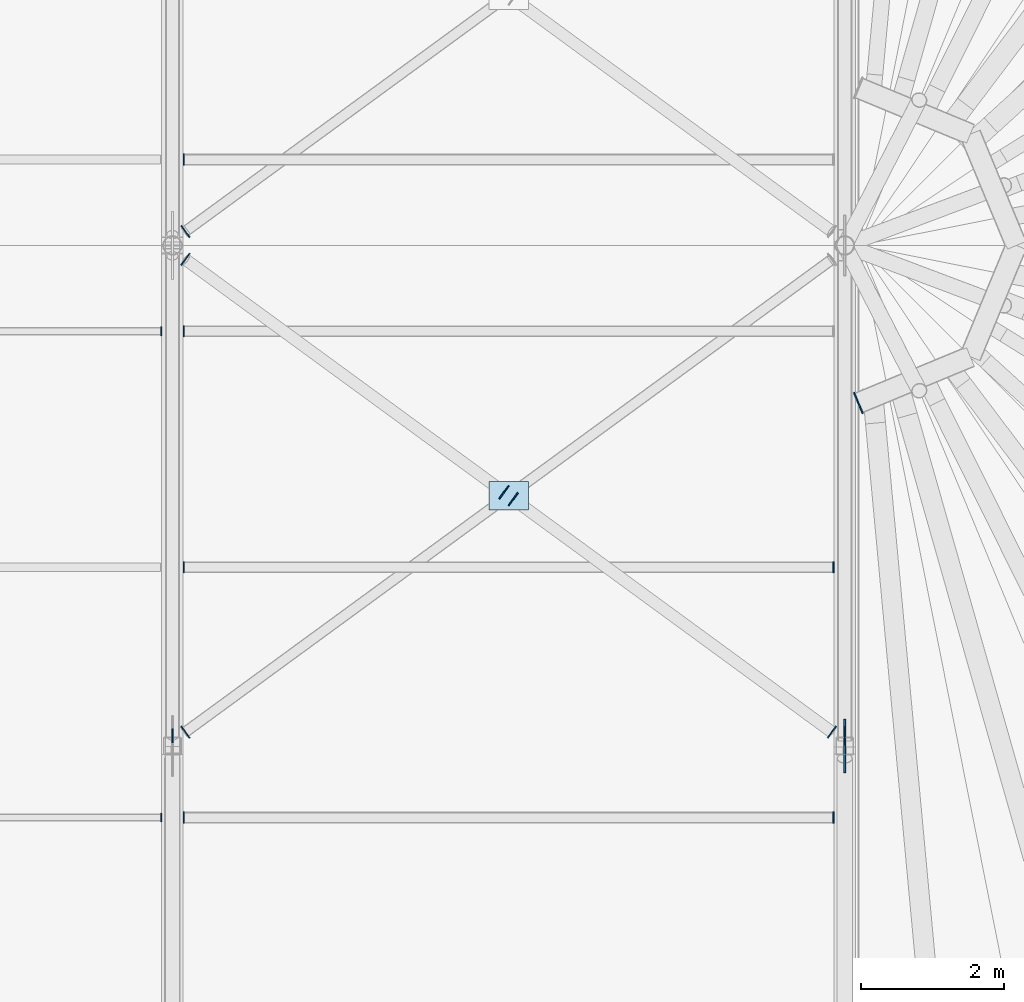
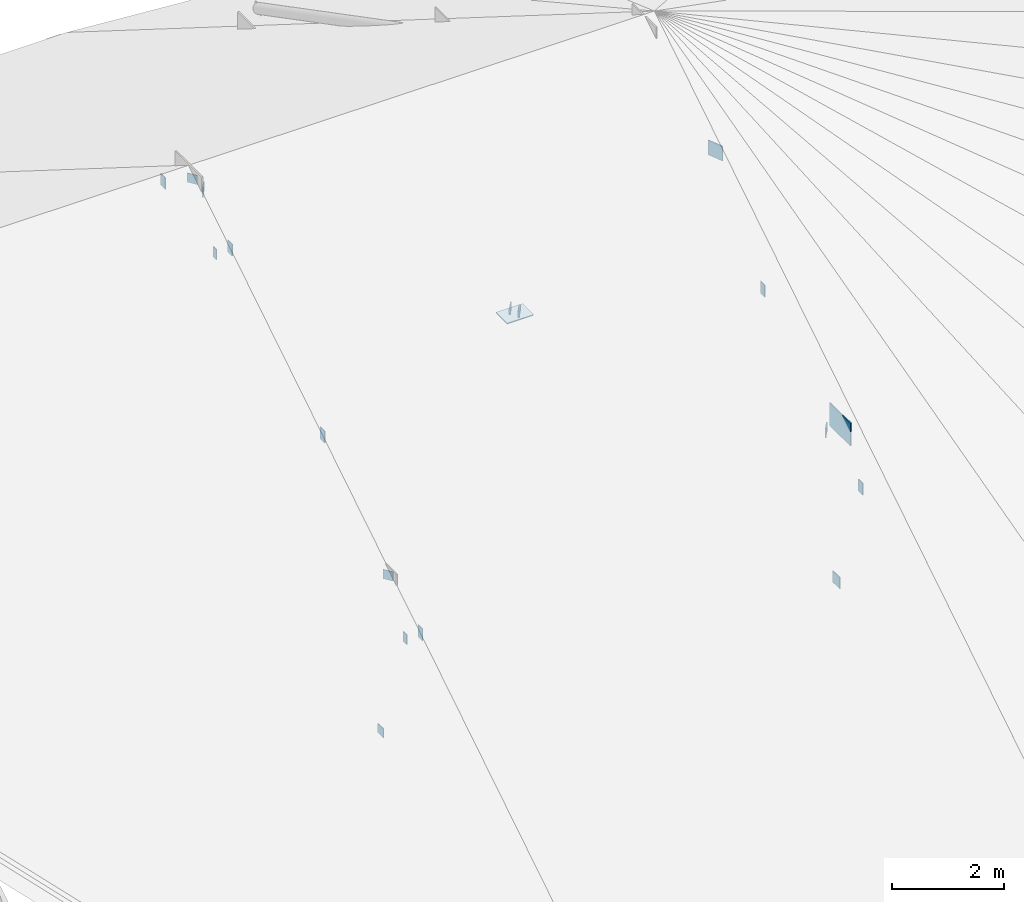
# One storey, part 60 of 66: 19 plates.
"""IFC4 building model written with IfcOpenShell, lengths in metres."""

from ifc_helpers import new_model, si_unit, direction, frame, origin, origin_2d, place, context, subcontext, project, spatial, rectangle, extrude, material, layer, layer_set, type_object, element, save


model = new_model("IFC4")

# Units and contexts
model_context = context("Model", 3, precision=1e-05, world=origin(), true_north=direction((0.0, 1.0)))
body_context = subcontext(model_context, "Body", "Model", "MODEL_VIEW")
ifc_project = project(units=[si_unit("LENGTHUNIT", "METRE"), si_unit("AREAUNIT", "SQUARE_METRE"), si_unit("VOLUMEUNIT", "CUBIC_METRE"), si_unit("PLANEANGLEUNIT", "RADIAN"), si_unit("MASSUNIT", "GRAM", prefix="KILO")], contexts=[model_context])

# Site, building, storey
site_placement = place(None, origin())
site = spatial("IfcSite", under=ifc_project, at=site_placement, CompositionType="ELEMENT")
building_placement = place(site_placement, origin())
building = spatial("IfcBuilding", under=site, at=building_placement, Name="Yeouljin Market Hall", CompositionType="ELEMENT")
storey_placement = place(building_placement, frame((0.0, 0.0, 23.39990234375)))
storey = spatial("IfcBuildingStorey", under=building, at=storey_placement, Name="RF", CompositionType="ELEMENT", Elevation=23.39990234375)

# Plates
ifc_material_1 = material(Name="Steel SM355", Category="steel")
ifc_layer_1 = layer(ifc_material_1, 0.01611328125)
ifc_layer_set_1 = layer_set([ifc_layer_1], Name="Steel SM355")
plate_type_1 = type_object("IfcPlateType", Name="CapPlate_200x200x16", PredefinedType="SHEET", material=ifc_layer_set_1)
for number, where, z_axis, x_axis, name in (
    (1, (131.39990234375, 50.144287109375, -7.078125), (0.0, 0.0, 1.0), (0.0, 1.0, 0.0), "Hollow web end-cap plate 0042"),
    (2, (131.580078125, 50.195556640625, -3.78271484375), (0.0, 0.0, 1.0), (-0.590183063249, 0.807269441918, 0.0), "Wind brace end-cap plate 0253"),
    (3, (131.580078125, 56.804443359375, 0.623046875), (0.0, 0.0, 1.0), (0.590183063249, 0.807269441918, 0.0), "Wind brace end-cap plate 0255"),
    (4, (140.6201171875, 50.195556640625, -3.78271484375), (0.0, 0.0, 1.0), (0.590183063249, 0.807269441918, 0.0), "Wind brace end-cap plate 0258"),
    (5, (131.580078125, 57.195556640625, 0.623046875), (0.0, 0.0, 1.0), (-0.590183063249, 0.807269441918, 0.0), "Wind brace end-cap plate 0259"),
):
    element("IfcPlate", number, at=place(storey_placement, frame(where, z_axis=z_axis, x_axis=x_axis)), inside=storey, type_object=plate_type_1, Name=name, PredefinedType="SHEET", context=body_context, shape_type="SweptSolid", body=[
        extrude(rectangle(XDim=0.199951171875, YDim=0.01611328125, at=origin_2d()), origin(), (0.0, 0.0, 1.0), 0.199951171875),
    ])
ifc_material_2 = material(Name="Steel SM355", Category="steel")
ifc_layer_2 = layer(ifc_material_2, 0.01611328125)
ifc_layer_set_2 = layer_set([ifc_layer_2], Name="Steel SM355")
plate_type_2 = type_object("IfcPlateType", Name="CapPlate_220x120x16", PredefinedType="SHEET", material=ifc_layer_set_2)
for number, where, z_axis, x_axis, name in (
    (6, (131.241943359375, 49.0, -4.318359375), (0.0, 0.0, 1.0), (0.0, 1.0, 0.0), "Purlin end-cap plate 0220"),
    (7, (131.241943359375, 55.800048828125, -0.0439453125), (0.0, 0.0, 1.0), (0.0, 1.0, 0.0), "Purlin end-cap plate 0222"),
):
    element("IfcPlate", number, at=place(storey_placement, frame(where, z_axis=z_axis, x_axis=x_axis)), inside=storey, type_object=plate_type_2, Name=name, PredefinedType="SHEET", context=body_context, shape_type="SweptSolid", body=[
        extrude(rectangle(XDim=0.1201171875, YDim=0.01611328125, at=origin_2d()), origin(), (0.0, 0.0, 1.0), 0.219970703125),
    ])
for number, where, z_axis, x_axis, name in (
    (8, (136.03466796875, 53.5478515625, -1.508056640625), (0.0, 0.0, 1.0), (0.590183063249, 0.807269441918, 0.0), "Wind brace end-cap plate 0256"),
    (9, (136.165283203125, 53.4521484375, -1.554931640625), (0.0, 0.0, 1.0), (0.590183063249, 0.807269441918, 0.0), "Wind brace end-cap plate 0257"),
):
    element("IfcPlate", number, at=place(storey_placement, frame(where, z_axis=z_axis, x_axis=x_axis)), inside=storey, type_object=plate_type_2, Name=name, PredefinedType="SHEET", context=body_context, shape_type="SweptSolid", body=[
        extrude(rectangle(XDim=0.219970703125, YDim=0.01611328125, at=origin_2d()), origin(), (0.0, 0.0, 1.0), 0.1201171875),
    ])
ifc_material_3 = material(Name="Steel SM355", Category="steel")
ifc_layer_3 = layer(ifc_material_3, 0.01611328125)
ifc_layer_set_3 = layer_set([ifc_layer_3], Name="Steel SM355")
plate_type_3 = type_object("IfcPlateType", Name="CapPlate_250x250x16", PredefinedType="SHEET", material=ifc_layer_set_3)
plate_1_placement = place(storey_placement, frame((140.800048828125, 50.144287109375, -7.103271484375), z_axis=(0.0, 0.0, 1.0), x_axis=(0.0, 1.0, 0.0)))
element("IfcPlate", 10, at=plate_1_placement, inside=storey, type_object=plate_type_3, Name="Hollow web end-cap plate 0046", PredefinedType="SHEET", context=body_context, shape_type="SweptSolid", body=[
    extrude(rectangle(XDim=0.25, YDim=0.01611328125, at=origin_2d()), origin(), (0.0, 0.0, 1.0), 0.25),
])
ifc_material_4 = material(Name="Steel SM355", Category="steel")
ifc_layer_4 = layer(ifc_material_4, 0.01611328125)
ifc_layer_set_4 = layer_set([ifc_layer_4], Name="Steel SM355")
plate_type_4 = type_object("IfcPlateType", Name="CapPlate_260x160x16", PredefinedType="SHEET", material=ifc_layer_set_4)
for number, where, z_axis, x_axis, name in (
    (11, (131.55810546875, 49.0, -4.33837890625), (0.0, 0.0, 1.0), (0.0, 1.0, 0.0), "Purlin end-cap plate 0235"),
    (12, (140.64208984375, 49.0, -4.33837890625), (0.0, 0.0, 1.0), (0.0, 1.0, 0.0), "Purlin end-cap plate 0236"),
    (13, (131.55810546875, 52.5, -2.138671875), (0.0, 0.0, 1.0), (0.0, 1.0, 0.0), "Purlin end-cap plate 0237"),
    (14, (140.64208984375, 52.5, -2.138671875), (0.0, 0.0, 1.0), (0.0, 1.0, 0.0), "Purlin end-cap plate 0238"),
    (15, (131.55810546875, 55.800048828125, -0.06396484375), (0.0, 0.0, 1.0), (0.0, 1.0, 0.0), "Purlin end-cap plate 0239"),
    (16, (131.55810546875, 58.199951171875, -0.06396484375), (0.0, 0.0, 1.0), (0.0, 1.0, 0.0), "Purlin end-cap plate 0241"),
):
    element("IfcPlate", number, at=place(storey_placement, frame(where, z_axis=z_axis, x_axis=x_axis)), inside=storey, type_object=plate_type_4, Name=name, PredefinedType="SHEET", context=body_context, shape_type="SweptSolid", body=[
        extrude(rectangle(XDim=0.159912109375, YDim=0.01611328125, at=origin_2d()), origin(), (0.0, 0.0, 1.0), 0.260009765625),
    ])
ifc_material_5 = material(Name="Steel SM355", Category="steel")
ifc_layer_5 = layer(ifc_material_5, 0.02001953125)
ifc_layer_set_5 = layer_set([ifc_layer_5], Name="Steel SM355")
plate_type_5 = type_object("IfcPlateType", Name="CapPlate_320x320x20", PredefinedType="SHEET", material=ifc_layer_set_5)
plate_2_placement = place(storey_placement, frame((140.99072265625, 54.796142578125, -0.66015625), z_axis=(0.0, 0.0, 1.0), x_axis=(-0.382683432365, 0.923879532511, 0.0)))
element("IfcPlate", 17, at=plate_2_placement, inside=storey, type_object=plate_type_5, Name="Apse compression ring cap plate east 1", PredefinedType="SHEET", context=body_context, shape_type="SweptSolid", body=[
    extrude(rectangle(XDim=0.320068359375, YDim=0.02001953125, at=origin_2d()), origin(), (0.0, 0.0, 1.0), 0.320068359375),
])
ifc_material_6 = material(Name="Steel SM355", Category="steel")
ifc_layer_6 = layer(ifc_material_6, 0.02001953125)
ifc_layer_set_6 = layer_set([ifc_layer_6], Name="Steel SM355")
plate_type_6 = type_object("IfcPlateType", Name="GussetPlate_550x400x20", PredefinedType="USERDEFINED", material=ifc_layer_set_6)
plate_3_placement = place(storey_placement, frame((136.10009765625, 53.5, -1.579833984375), z_axis=(0.0, 0.0, 1.0), x_axis=(1.0, 0.0, 0.0)))
element("IfcPlate", 18, at=plate_3_placement, inside=storey, type_object=plate_type_6, Name="X-brace crossing node gusset plate 009", ObjectType="GUSSET PLATE", PredefinedType="USERDEFINED", context=body_context, shape_type="SweptSolid", body=[
    extrude(rectangle(XDim=0.550048828125, YDim=0.39990234375, at=origin_2d()), origin(), (0.0, 0.0, 1.0), 0.02001953125),
])
ifc_material_7 = material(Name="Steel SM355", Category="steel")
ifc_layer_7 = layer(ifc_material_7, 0.02392578125)
ifc_layer_set_7 = layer_set([ifc_layer_7], Name="Steel SM355")
plate_type_7 = type_object("IfcPlateType", Name="GussetPlate_750x500x24", PredefinedType="USERDEFINED", material=ifc_layer_set_7)
plate_4_placement = place(storey_placement, frame((140.800048828125, 50.0, -3.75), z_axis=(0.0, 0.0, 1.0), x_axis=(0.0, 1.0, 0.0)))
element("IfcPlate", 19, at=plate_4_placement, inside=storey, type_object=plate_type_7, Name="Truss node gusset plate 057", ObjectType="GUSSET PLATE", PredefinedType="USERDEFINED", context=body_context, shape_type="SweptSolid", body=[
    extrude(rectangle(XDim=0.75, YDim=0.02392578125, at=origin_2d()), origin(), (0.0, 0.0, 1.0), 0.5),
])

save(model, "model.ifc")
